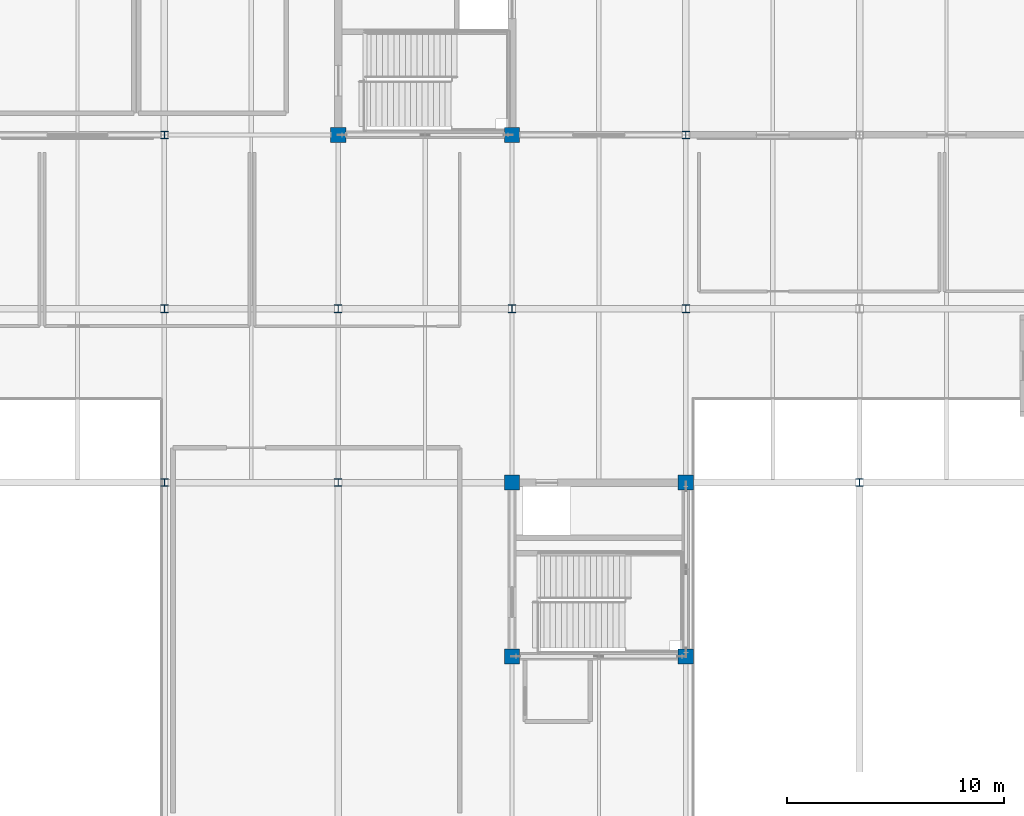
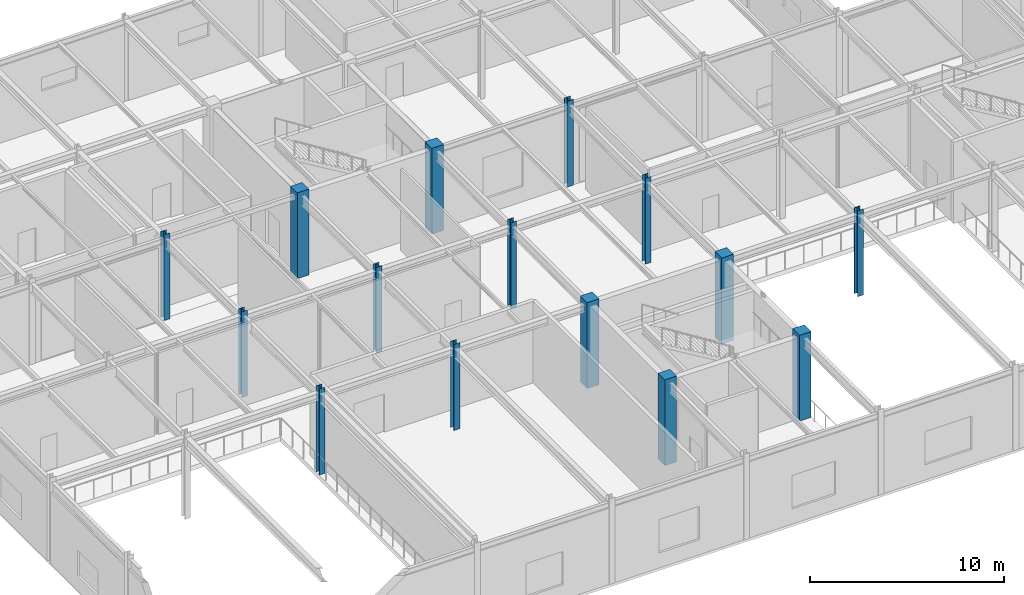
# One storey, part 16 of 184: 15 columns.
"""IFC4 building model written with IfcOpenShell, lengths in metres."""

from ifc_helpers import new_model, si_unit, direction, frame, origin, origin_2d, place, context, subcontext, project, spatial, rectangle, i_section, extrude, material, material_profile, profile_set, type_object, element, save


model = new_model("IFC4")

# Units and contexts
model_context = context("Model", 3, precision=1e-05, world=origin(), true_north=direction((0.0, 1.0)))
body_context = subcontext(model_context, "Body", "Model", "MODEL_VIEW")
ifc_project = project(units=[si_unit("LENGTHUNIT", "METRE"), si_unit("AREAUNIT", "SQUARE_METRE"), si_unit("VOLUMEUNIT", "CUBIC_METRE"), si_unit("PLANEANGLEUNIT", "RADIAN"), si_unit("MASSUNIT", "GRAM", prefix="KILO")], contexts=[model_context])

# Site, building, storey
site_placement = place(None, origin())
site = spatial("IfcSite", under=ifc_project, at=site_placement, CompositionType="ELEMENT")
building_placement = place(site_placement, origin())
building = spatial("IfcBuilding", under=site, at=building_placement, Name="Zhaolan Boulevard Law Courts", CompositionType="ELEMENT")
storey_placement = place(building_placement, frame((0.0, 0.0, 5.39990234375)))
storey = spatial("IfcBuildingStorey", under=building, at=storey_placement, Name="L01", CompositionType="ELEMENT", Elevation=5.39990234375)

# Columns
ifc_material_1 = material(Name="Structural steel Q355B", Category="steel")
ifc_material_profile_1 = material_profile(ifc_material_1, i_section(OverallWidth=0.35009765625, OverallDepth=0.35009765625, WebThickness=0.011962890625, FlangeThickness=0.01904296875, FilletRadius=0.02001953125, at=origin_2d()), Name="HW350x350")
ifc_profile_set_1 = profile_set([ifc_material_profile_1], Name="Structural steel Q355B")
column_type_1 = type_object("IfcColumnType", Name="COL HW350", PredefinedType="COLUMN", material=ifc_profile_set_1)
for number, where, z_axis, x_axis, name in (
    (1, (68.0, 78.0, 0.0), (0.0, 0.0, 1.0), (1.0, 0.0, 0.0), "Column C-9L (L01)"),
    (2, (68.0, 86.0, 0.0), (0.0, 0.0, 1.0), (1.0, 0.0, 0.0), "Column C-9M (L01)"),
    (3, (68.0, 94.0, 0.0), (0.0, 0.0, 1.0), (1.0, 0.0, 0.0), "Column C-9N (L01)"),
    (4, (76.0, 78.0, 0.0), (0.0, 0.0, 1.0), (1.0, 0.0, 0.0), "Column C-10L (L01)"),
    (5, (76.0, 86.0, 0.0), (0.0, 0.0, 1.0), (1.0, 0.0, 0.0), "Column C-10M (L01)"),
    (6, (84.0, 86.0, 0.0), (0.0, 0.0, 1.0), (1.0, 0.0, 0.0), "Column C-11M (L01)"),
    (7, (92.0, 86.0, 0.0), (0.0, 0.0, 1.0), (1.0, 0.0, 0.0), "Column C-12M (L01)"),
    (8, (92.0, 94.0, 0.0), (0.0, 0.0, 1.0), (1.0, 0.0, 0.0), "Column C-12N (L01)"),
    (9, (100.0, 78.0, 0.0), (0.0, 0.0, 1.0), (1.0, 0.0, 0.0), "Column C-13L (L01)"),
):
    element("IfcColumn", number, at=place(storey_placement, frame(where, z_axis=z_axis, x_axis=x_axis)), inside=storey, type_object=column_type_1, Name=name, PredefinedType="COLUMN", context=body_context, shape_type="SweptSolid", body=[
        extrude(i_section(OverallWidth=0.35009765625, OverallDepth=0.35009765625, WebThickness=0.011962890625, FlangeThickness=0.01904296875, FilletRadius=0.02001953125, at=origin_2d()), origin(), (0.0, 0.0, 1.0), 5.400146484375),
    ])
ifc_material_2 = material(Name="Concrete C50", Category="concrete")
ifc_material_profile_2 = material_profile(ifc_material_2, rectangle(XDim=0.699951171875, YDim=0.699951171875, at=origin_2d()), Name="RC700x700")
ifc_profile_set_2 = profile_set([ifc_material_profile_2], Name="Concrete C50")
column_type_2 = type_object("IfcColumnType", Name="COL RC700", PredefinedType="COLUMN", material=ifc_profile_set_2)
for number, where, z_axis, x_axis, name in (
    (10, (76.0, 94.0, 0.0), (0.0, 0.0, 1.0), (1.0, 0.0, 0.0), "Column C-10N (L01)"),
    (11, (84.0, 70.0, 0.0), (0.0, 0.0, 1.0), (1.0, 0.0, 0.0), "Column C-11K (L01)"),
    (12, (84.0, 78.0, 0.0), (0.0, 0.0, 1.0), (1.0, 0.0, 0.0), "Column C-11L (L01)"),
    (13, (84.0, 94.0, 0.0), (0.0, 0.0, 1.0), (1.0, 0.0, 0.0), "Column C-11N (L01)"),
    (14, (92.0, 70.0, 0.0), (0.0, 0.0, 1.0), (1.0, 0.0, 0.0), "Column C-12K (L01)"),
    (15, (92.0, 78.0, 0.0), (0.0, 0.0, 1.0), (1.0, 0.0, 0.0), "Column C-12L (L01)"),
):
    element("IfcColumn", number, at=place(storey_placement, frame(where, z_axis=z_axis, x_axis=x_axis)), inside=storey, type_object=column_type_2, Name=name, PredefinedType="COLUMN", context=body_context, shape_type="SweptSolid", body=[
        extrude(rectangle(XDim=0.699951171875, YDim=0.699951171875, at=origin_2d()), origin(), (0.0, 0.0, 1.0), 5.400146484375),
    ])

save(model, "model.ifc")
